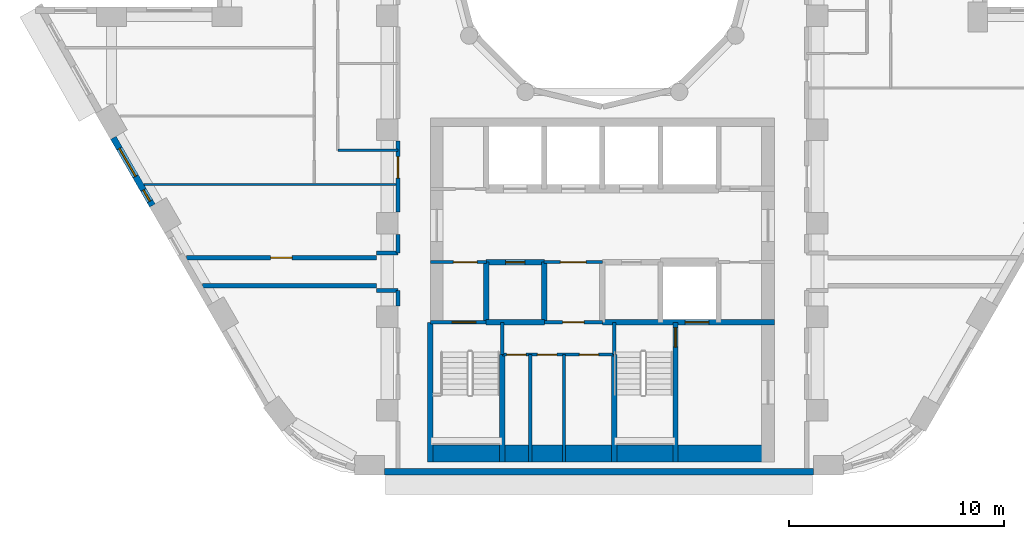
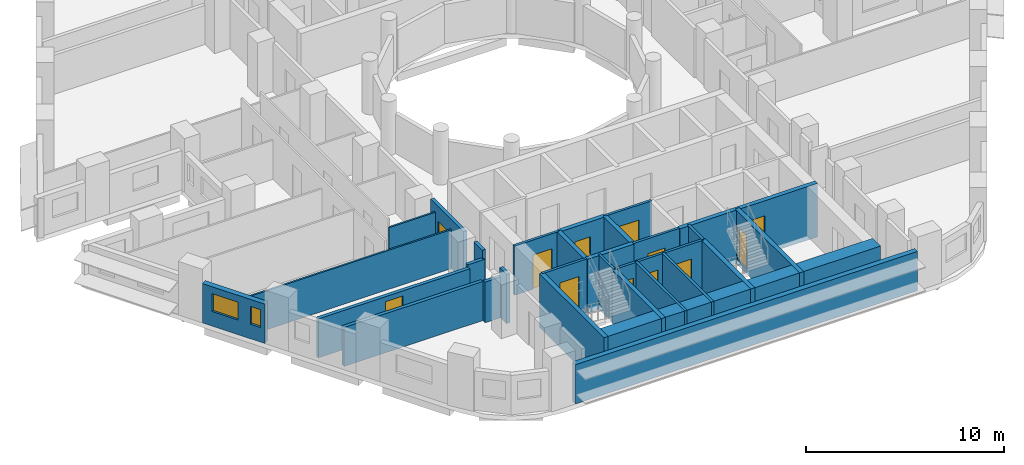
# One storey, part 3 of 12: 30 walls, 12 doors, 2 windows, 14 openings.
"""IFC4 building model written with IfcOpenShell, lengths in metres."""

from ifc_helpers import new_model, si_unit, direction, frame, frame_2d, origin, place, context, subcontext, project, spatial, rectangle, extrude, material, layer, layer_set, type_object, element, fill, save


model = new_model("IFC4")

# Units and contexts
model_context = context("Model", 3, precision=1e-05, world=origin(), true_north=direction((0.0, 1.0)))
body_context = subcontext(model_context, "Body", "Model", "MODEL_VIEW")
ifc_project = project(units=[si_unit("LENGTHUNIT", "METRE"), si_unit("AREAUNIT", "SQUARE_METRE"), si_unit("VOLUMEUNIT", "CUBIC_METRE"), si_unit("PLANEANGLEUNIT", "RADIAN"), si_unit("MASSUNIT", "GRAM", prefix="KILO")], contexts=[model_context])

# Site, building, storey
site_placement = place(None, origin())
site = spatial("IfcSite", under=ifc_project, at=site_placement, CompositionType="ELEMENT")
building_placement = place(site_placement, origin())
building = spatial("IfcBuilding", under=site, at=building_placement, Name="Nakaniwa Court", CompositionType="ELEMENT")
storey_placement = place(building_placement, frame((0.0, 0.0, 90.89990234375)))
storey = spatial("IfcBuildingStorey", under=building, at=storey_placement, Name="L23", CompositionType="ELEMENT", Elevation=90.89990234375)

# Walls
ifc_material_1 = material(Name="Acoustic double stud partition")
ifc_layer_1 = layer(ifc_material_1, 0.199951171875)
ifc_layer_set_1 = layer_set([ifc_layer_1], Name="Acoustic double stud partition")
wall_type_1 = type_object("IfcWallType", Name="Acoustic double stud partition 200", PredefinedType="PARTITIONING", material=ifc_layer_set_1)
wall_1_placement = place(storey_placement, frame((61.4091796875, 64.800048828125, 0.0), z_axis=(0.0, 0.0, 1.0), x_axis=(1.0, 0.0, 0.0)))
element("IfcWall", 1, at=wall_1_placement, inside=storey, type_object=wall_type_1, Name="Partition PW-087", PredefinedType="PARTITIONING", context=body_context, shape_type="SweptSolid", body=[
    extrude(rectangle(XDim=8.0908203125, YDim=0.199951171875, at=frame_2d((4.04541015625, 0.0))), origin(), (0.0, 0.0, 1.0), 2.405029296875),
])
for number, where, z_axis, x_axis, name in (
    (2, (69.5, 64.574951171875, 0.0), (0.0, 0.0, 1.0), (1.0, 0.0, 0.0), "Partition PW-089"),
    (3, (69.5, 66.324951171875, 0.0), (0.0, 0.0, 1.0), (1.0, 0.0, 0.0), "Partition PW-091"),
):
    element("IfcWall", number, at=place(storey_placement, frame(where, z_axis=z_axis, x_axis=x_axis)), inside=storey, type_object=wall_type_1, Name=name, PredefinedType="PARTITIONING", context=body_context, shape_type="SweptSolid", body=[
        extrude(rectangle(XDim=1.0, YDim=0.199951171875, at=frame_2d((0.5, 0.0))), origin(), (0.0, 0.0, 1.0), 2.505126953125),
    ])

# Wall, opening, door
wall_2_placement = place(storey_placement, frame((60.65869140625, 66.10009765625, 0.0), z_axis=(0.0, 0.0, 1.0), x_axis=(1.0, 0.0, 0.0)))
wall_2 = element("IfcWall", 4, at=wall_2_placement, inside=storey, type_object=wall_type_1, Name="Partition PW-093", PredefinedType="PARTITIONING", context=body_context, shape_type="SweptSolid", body=[
    extrude(rectangle(XDim=8.84130859375, YDim=0.199951171875, at=frame_2d((4.420654296875, 0.0))), origin(), (0.0, 0.0, 1.0), 2.405029296875),
])
opening_1_placement = place(wall_2_placement, frame((3.9208984375, 0.0, 0.0)))
opening_1 = element("IfcOpeningElement", 5, at=opening_1_placement, cuts=wall_2, Name="Opening D-02-08", PredefinedType="OPENING", context=body_context, shape_type="SweptSolid", body=[
    extrude(rectangle(XDim=1.0, YDim=2.10009765625, at=frame_2d((0.5, 1.050048828125))), frame((0.0, 0.10986328125, 0.0), z_axis=(0.0, -1.0, 0.0), x_axis=(1.0, 0.0, 0.0)), (0.0, 0.0, 1.0), 0.219970703125),
])
ifc_material_2 = material(Name="Solid core timber door set, black veneer", Category="wood")
door_type_1 = type_object("IfcDoorType", Name="Internal door 1000", OperationType="NOTDEFINED", PredefinedType="DOOR", material=ifc_material_2)
door_1_placement = place(opening_1_placement, origin())
door_1 = element("IfcDoor", 6, at=door_1_placement, inside=storey, type_object=door_type_1, Name="Door D-02-08 L23-050", OperationType="SINGLE_SWING_LEFT", OverallHeight=2.10009765625, OverallWidth=1.0, PredefinedType="DOOR", context=body_context, shape_type="SweptSolid", body=[
    extrude(rectangle(XDim=1.0, YDim=2.10009765625, at=frame_2d((0.5, 1.050048828125))), frame((0.0, 0.02490234375, 0.0), z_axis=(0.0, -1.0, 0.0), x_axis=(1.0, 0.0, 0.0)), (0.0, 0.0, 1.0), 0.050048828125),
])
fill(opening_1, door_1)

# Walls
wall_3_placement = place(storey_placement, frame((70.5, 63.866943359375, 0.0), z_axis=(0.0, 0.0, 1.0), x_axis=(0.0, 1.0, 0.0)))
element("IfcWall", 7, at=wall_3_placement, inside=storey, type_object=wall_type_1, Name="Partition PW-097", PredefinedType="PARTITIONING", context=body_context, shape_type="SweptSolid", body=[
    extrude(rectangle(XDim=0.7109375, YDim=0.199951171875, at=frame_2d((0.35546875, 0.0))), origin(), (0.0, 0.0, 1.0), 3.025146484375),
])
wall_4_placement = place(storey_placement, frame((70.5, 66.322021484375, 0.0), z_axis=(0.0, 0.0, 1.0), x_axis=(0.0, 1.0, 0.0)))
element("IfcWall", 8, at=wall_4_placement, inside=storey, type_object=wall_type_1, Name="Partition PW-098", PredefinedType="PARTITIONING", context=body_context, shape_type="SweptSolid", body=[
    extrude(rectangle(XDim=0.861083984375, YDim=0.199951171875, at=frame_2d((0.4306640625, 0.0))), origin(), (0.0, 0.0, 1.0), 3.025146484375),
])

# Wall, opening, door
wall_5_placement = place(storey_placement, frame((70.5, 68.217041015625, 0.0), z_axis=(0.0, 0.0, 1.0), x_axis=(0.0, 1.0, 0.0)))
wall_5 = element("IfcWall", 9, at=wall_5_placement, inside=storey, type_object=wall_type_1, Name="Partition PW-099", PredefinedType="PARTITIONING", context=body_context, shape_type="SweptSolid", body=[
    extrude(rectangle(XDim=3.31591796875, YDim=0.199951171875, at=frame_2d((1.657958984375, 0.0))), origin(), (0.0, 0.0, 1.0), 3.025146484375),
])
opening_2_placement = place(wall_5_placement, frame((1.5830078125, 0.0, 0.0)))
opening_2 = element("IfcOpeningElement", 10, at=opening_2_placement, cuts=wall_5, Name="Opening D-01-03", PredefinedType="OPENING", context=body_context, shape_type="SweptSolid", body=[
    extrude(rectangle(XDim=1.0, YDim=2.10009765625, at=frame_2d((0.5, 1.050048828125))), frame((0.0, 0.10986328125, 0.0), z_axis=(0.0, -1.0, 0.0), x_axis=(1.0, 0.0, 0.0)), (0.0, 0.0, 1.0), 0.219970703125),
])
door_type_2 = type_object("IfcDoorType", Name="Flat entrance door 1000", OperationType="NOTDEFINED", PredefinedType="DOOR", material=ifc_material_2)
door_2_placement = place(opening_2_placement, origin())
door_2 = element("IfcDoor", 11, at=door_2_placement, inside=storey, type_object=door_type_2, Name="Door D-01-03 L23-039", OperationType="SINGLE_SWING_RIGHT", OverallHeight=2.10009765625, OverallWidth=1.0, PredefinedType="DOOR", context=body_context, shape_type="SweptSolid", body=[
    extrude(rectangle(XDim=1.0, YDim=2.10009765625, at=frame_2d((0.5, 1.050048828125))), frame((0.0, 0.02490234375, 0.0), z_axis=(0.0, -1.0, 0.0), x_axis=(1.0, 0.0, 0.0)), (0.0, 0.0, 1.0), 0.050048828125),
])
fill(opening_2, door_2)

# Wall, openings, windows
ifc_material_3 = material(Name="Charcoal ceramic cladding")
ifc_layer_2 = layer(ifc_material_3, 0.02, Name="Ceramic cladding")
ifc_material_4 = material(Name="Ventilated air cavity")
ifc_layer_3 = layer(ifc_material_4, 0.04, ventilated=True, Name="Ventilated cavity")
ifc_material_5 = material(Name="Mineral wool insulation")
ifc_layer_4 = layer(ifc_material_5, 0.1, Name="Insulation")
ifc_material_6 = material(Name="Cement bonded sheathing board")
ifc_layer_5 = layer(ifc_material_6, 0.012, Name="Sheathing")
ifc_material_7 = material(Name="Cold-formed galvanised stud frame with mineral wool infill")
ifc_layer_6 = layer(ifc_material_7, 0.1, Name="Stud frame")
ifc_material_8 = material(Name="Fire-rated gypsum plasterboard lining")
ifc_layer_7 = layer(ifc_material_8, 0.028, Name="Lining")
ifc_layer_set_2 = layer_set([ifc_layer_2, ifc_layer_3, ifc_layer_4, ifc_layer_5, ifc_layer_6, ifc_layer_7], Name="Charcoal ceramic faced external wall system")
wall_type_2 = type_object("IfcWallType", Name="Black ceramic faced external wall 300", PredefinedType="SOLIDWALL", material=ifc_layer_set_2)
wall_6_placement = place(storey_placement, frame((57.265380859375, 71.677490234375, 0.0), z_axis=(0.0, 0.0, 1.0), x_axis=(0.500009139881, -0.866020126807, 0.0)))
wall_6 = element("IfcWall", 12, at=wall_6_placement, inside=storey, type_object=wall_type_2, Name="L23 external wall 21", PredefinedType="SOLIDWALL", context=body_context, shape_type="SweptSolid", body=[
    extrude(rectangle(XDim=3.63671875, YDim=0.300048828125, at=frame_2d((1.818359375, 0.0))), origin(), (0.0, 0.0, 1.0), 2.425048828125),
])
opening_3_placement = place(wall_6_placement, frame((0.568359375, 0.0, 0.89990234375)))
opening_3 = element("IfcOpeningElement", 13, at=opening_3_placement, cuts=wall_6, Name="Opening W5.25", PredefinedType="OPENING", context=body_context, shape_type="SweptSolid", body=[
    extrude(rectangle(XDim=1.5, YDim=1.10009765625, at=frame_2d((0.75, 0.550048828125))), frame((0.0, 0.159912109375, 0.0), z_axis=(0.0, -1.0, 0.0), x_axis=(1.0, 0.0, 0.0)), (0.0, 0.0, 1.0), 0.320068359375),
])
opening_4_placement = place(wall_6_placement, frame((2.7998046875, 0.0, 0.89990234375)))
opening_4 = element("IfcOpeningElement", 14, at=opening_4_placement, cuts=wall_6, Name="Opening W8.26", PredefinedType="OPENING", context=body_context, shape_type="SweptSolid", body=[
    extrude(rectangle(XDim=0.60009765625, YDim=1.10009765625, at=frame_2d((0.300048828125, 0.550048828125))), frame((0.0, 0.159912109375, 0.0), z_axis=(0.0, -1.0, 0.0), x_axis=(1.0, 0.0, 0.0)), (0.0, 0.0, 1.0), 0.320068359375),
])
ifc_material_9 = material(Name="Black anodised aluminium frame with dark low-E laminated double glazing", Category="aluminium")
window_type_1 = type_object("IfcWindowType", Name="Dark glass window 1500x1100 sill 900", PartitioningType="SINGLE_PANEL", PredefinedType="WINDOW", material=ifc_material_9)
window_1_placement = place(opening_3_placement, origin())
window_1 = element("IfcWindow", 15, at=window_1_placement, inside=storey, type_object=window_type_1, Name="L23 bedroom window 21-0", OverallHeight=1.10009765625, OverallWidth=1.5, PartitioningType="SINGLE_PANEL", PredefinedType="WINDOW", context=body_context, shape_type="SweptSolid", body=[
    extrude(rectangle(XDim=1.5, YDim=1.10009765625, at=frame_2d((0.75, 0.550048828125))), frame((0.0, 0.030029296875, 0.0), z_axis=(0.0, -1.0, 0.0), x_axis=(1.0, 0.0, 0.0)), (0.0, 0.0, 1.0), 0.06005859375),
])
fill(opening_3, window_1)
window_type_2 = type_object("IfcWindowType", Name="Dark glass window 600x1100 sill 900", PartitioningType="SINGLE_PANEL", PredefinedType="WINDOW", material=ifc_material_9)
window_2_placement = place(opening_4_placement, origin())
window_2 = element("IfcWindow", 16, at=window_2_placement, inside=storey, type_object=window_type_2, Name="L23 habitable room window 21-1", OverallHeight=1.10009765625, OverallWidth=0.60009765625, PartitioningType="SINGLE_PANEL", PredefinedType="WINDOW", context=body_context, shape_type="SweptSolid", body=[
    extrude(rectangle(XDim=0.60009765625, YDim=1.10009765625, at=frame_2d((0.300048828125, 0.550048828125))), frame((0.0, 0.030029296875, 0.0), z_axis=(0.0, -1.0, 0.0), x_axis=(1.0, 0.0, 0.0)), (0.0, 0.0, 1.0), 0.06005859375),
])
fill(opening_4, window_2)

# Wall
wall_7_placement = place(storey_placement, frame((69.871337890625, 56.14990234375, 0.0), z_axis=(0.0, 0.0, 1.0), x_axis=(1.0, 0.0, 0.0)))
element("IfcWall", 17, at=wall_7_placement, inside=storey, type_object=wall_type_2, Name="L23 external wall 26", PredefinedType="SOLIDWALL", context=body_context, shape_type="SweptSolid", body=[
    extrude(rectangle(XDim=19.939697265625, YDim=0.300048828125, at=frame_2d((9.9697265625, 0.0))), origin(), (0.0, 0.0, 1.0), 2.425048828125),
])

# Wall, opening, door
ifc_material_10 = material(Name="Blockwork partition", Category="masonry")
ifc_layer_8 = layer(ifc_material_10, 0.14990234375)
ifc_layer_set_3 = layer_set([ifc_layer_8], Name="Blockwork partition")
wall_type_3 = type_object("IfcWallType", Name="Blockwork partition 150", PredefinedType="PARTITIONING", material=ifc_layer_set_3)
wall_8_placement = place(storey_placement, frame((74.60302734375, 65.89990234375, 0.0), z_axis=(0.0, 0.0, 1.0), x_axis=(-1.0, 0.0, 0.0)))
wall_8 = element("IfcWall", 18, at=wall_8_placement, inside=storey, type_object=wall_type_3, Name="Partition PW-050", PredefinedType="PARTITIONING", context=body_context, shape_type="SweptSolid", body=[
    extrude(rectangle(XDim=2.60302734375, YDim=0.14990234375, at=frame_2d((1.301513671875, 0.0))), origin(), (0.0, 0.0, 1.0), 3.025146484375),
])
opening_5_placement = place(wall_8_placement, frame((0.427978515625, 0.0, 0.0)))
opening_5 = element("IfcOpeningElement", 19, at=opening_5_placement, cuts=wall_8, Name="Opening D-08-02", PredefinedType="OPENING", context=body_context, shape_type="SweptSolid", body=[
    extrude(rectangle(XDim=1.10009765625, YDim=2.10009765625, at=frame_2d((0.550048828125, 1.050048828125))), frame((0.0, 0.0849609375, 0.0), z_axis=(0.0, -1.0, 0.0), x_axis=(1.0, 0.0, 0.0)), (0.0, 0.0, 1.0), 0.169921875),
])
ifc_material_11 = material(Name="Fire rated steel door set", Category="steel")
door_type_3 = type_object("IfcDoorType", Name="Stair lobby door 1100", OperationType="NOTDEFINED", PredefinedType="DOOR", material=ifc_material_11)
door_3_placement = place(opening_5_placement, origin())
door_3 = element("IfcDoor", 20, at=door_3_placement, inside=storey, type_object=door_type_3, Name="Door D-08-02 L23-016", OperationType="SINGLE_SWING_LEFT", OverallHeight=2.10009765625, OverallWidth=1.10009765625, PredefinedType="DOOR", context=body_context, shape_type="SweptSolid", body=[
    extrude(rectangle(XDim=1.10009765625, YDim=2.10009765625, at=frame_2d((0.550048828125, 1.050048828125))), frame((0.0, 0.02490234375, 0.0), z_axis=(0.0, -1.0, 0.0), x_axis=(1.0, 0.0, 0.0)), (0.0, 0.0, 1.0), 0.050048828125),
])
fill(opening_5, door_3)

wall_9_placement = place(storey_placement, frame((80.0029296875, 65.89990234375, 0.0), z_axis=(0.0, 0.0, 1.0), x_axis=(-1.0, 0.0, 0.0)))
wall_9 = element("IfcWall", 21, at=wall_9_placement, inside=storey, type_object=wall_type_3, Name="Partition PW-051", PredefinedType="PARTITIONING", context=body_context, shape_type="SweptSolid", body=[
    extrude(rectangle(XDim=2.705810546875, YDim=0.14990234375, at=frame_2d((1.35302734375, 0.0))), origin(), (0.0, 0.0, 1.0), 3.025146484375),
])
opening_6_placement = place(wall_9_placement, frame((0.7529296875, 0.0, 0.0)))
opening_6 = element("IfcOpeningElement", 22, at=opening_6_placement, cuts=wall_9, Name="Opening D-06-02", PredefinedType="OPENING", context=body_context, shape_type="SweptSolid", body=[
    extrude(rectangle(XDim=1.199951171875, YDim=2.10009765625, at=frame_2d((0.60009765625, 1.050048828125))), frame((0.0, 0.0849609375, 0.0), z_axis=(0.0, -1.0, 0.0), x_axis=(1.0, 0.0, 0.0)), (0.0, 0.0, 1.0), 0.169921875),
])
ifc_material_12 = material(Name="Fire rated steel double door set", Category="steel")
door_type_4 = type_object("IfcDoorType", Name="Service passage double door 1200", OperationType="NOTDEFINED", PredefinedType="DOOR", material=ifc_material_12)
door_4_placement = place(opening_6_placement, origin())
door_4 = element("IfcDoor", 23, at=door_4_placement, inside=storey, type_object=door_type_4, Name="Door D-06-02 L23-018", OperationType="DOUBLE_DOOR_SINGLE_SWING", OverallHeight=2.10009765625, OverallWidth=1.199951171875, PredefinedType="DOOR", context=body_context, shape_type="SweptSolid", body=[
    extrude(rectangle(XDim=1.199951171875, YDim=2.10009765625, at=frame_2d((0.60009765625, 1.050048828125))), frame((0.0, 0.02490234375, 0.0), z_axis=(0.0, -1.0, 0.0), x_axis=(1.0, 0.0, 0.0)), (0.0, 0.0, 1.0), 0.050048828125),
])
fill(opening_6, door_4)

wall_10_placement = place(storey_placement, frame((80.0, 63.10009765625, 0.0), z_axis=(0.0, 0.0, 1.0), x_axis=(-1.0, 0.0, 0.0)))
wall_10 = element("IfcWall", 24, at=wall_10_placement, inside=storey, type_object=wall_type_3, Name="Partition PW-059", PredefinedType="PARTITIONING", context=body_context, shape_type="SweptSolid", body=[
    extrude(rectangle(XDim=2.699951171875, YDim=0.14990234375, at=frame_2d((1.35009765625, 0.0))), origin(), (0.0, 0.0, 1.0), 3.025146484375),
])
opening_7_placement = place(wall_10_placement, frame((0.85009765625, 0.0, 0.0)))
opening_7 = element("IfcOpeningElement", 25, at=opening_7_placement, cuts=wall_10, Name="Opening D-23-02", PredefinedType="OPENING", context=body_context, shape_type="SweptSolid", body=[
    extrude(rectangle(XDim=1.0, YDim=2.10009765625, at=frame_2d((0.5, 1.050048828125))), frame((0.0, 0.0849609375, 0.0), z_axis=(0.0, -1.0, 0.0), x_axis=(1.0, 0.0, 0.0)), (0.0, 0.0, 1.0), 0.169921875),
])
door_type_5 = type_object("IfcDoorType", Name="Service room door 1000", OperationType="NOTDEFINED", PredefinedType="DOOR", material=ifc_material_11)
door_5_placement = place(opening_7_placement, origin())
door_5 = element("IfcDoor", 26, at=door_5_placement, inside=storey, type_object=door_type_5, Name="Door D-23-02 L23-021", OperationType="SINGLE_SWING_RIGHT", OverallHeight=2.10009765625, OverallWidth=1.0, PredefinedType="DOOR", context=body_context, shape_type="SweptSolid", body=[
    extrude(rectangle(XDim=1.0, YDim=2.10009765625, at=frame_2d((0.5, 1.050048828125))), frame((0.0, 0.02490234375, 0.0), z_axis=(0.0, -1.0, 0.0), x_axis=(1.0, 0.0, 0.0)), (0.0, 0.0, 1.0), 0.050048828125),
])
fill(opening_7, door_5)

# Wall, openings, doors
wall_11_placement = place(storey_placement, frame((80.550048828125, 61.60009765625, 0.0), z_axis=(0.0, 0.0, 1.0), x_axis=(-1.0, 0.0, 0.0)))
wall_11 = element("IfcWall", 27, at=wall_11_placement, inside=storey, type_object=wall_type_3, Name="Partition PW-066", PredefinedType="PARTITIONING", context=body_context, shape_type="SweptSolid", body=[
    extrude(rectangle(XDim=5.199951171875, YDim=0.14990234375, at=frame_2d((2.60009765625, 0.0))), origin(), (0.0, 0.0, 1.0), 3.025146484375),
])
opening_8_placement = place(wall_11_placement, frame((4.10009765625, 0.0, 0.0)))
opening_8 = element("IfcOpeningElement", 28, at=opening_8_placement, cuts=wall_11, Name="Opening D-05-14", PredefinedType="OPENING", context=body_context, shape_type="SweptSolid", body=[
    extrude(rectangle(XDim=0.89990234375, YDim=2.10009765625, at=frame_2d((0.449951171875, 1.050048828125))), frame((0.0, 0.0849609375, 0.0), z_axis=(0.0, -1.0, 0.0), x_axis=(1.0, 0.0, 0.0)), (0.0, 0.0, 1.0), 0.169921875),
])
opening_9_placement = place(wall_11_placement, frame((2.669921875, 0.0, 0.0)))
opening_9 = element("IfcOpeningElement", 29, at=opening_9_placement, cuts=wall_11, Name="Opening D-05-15", PredefinedType="OPENING", context=body_context, shape_type="SweptSolid", body=[
    extrude(rectangle(XDim=0.89990234375, YDim=2.10009765625, at=frame_2d((0.449951171875, 1.050048828125))), frame((0.0, 0.0849609375, 0.0), z_axis=(0.0, -1.0, 0.0), x_axis=(1.0, 0.0, 0.0)), (0.0, 0.0, 1.0), 0.169921875),
])
opening_10_placement = place(wall_11_placement, frame((0.719970703125, 0.0, 0.0)))
opening_10 = element("IfcOpeningElement", 30, at=opening_10_placement, cuts=wall_11, Name="Opening D-05-16", PredefinedType="OPENING", context=body_context, shape_type="SweptSolid", body=[
    extrude(rectangle(XDim=0.89990234375, YDim=2.10009765625, at=frame_2d((0.449951171875, 1.050048828125))), frame((0.0, 0.0849609375, 0.0), z_axis=(0.0, -1.0, 0.0), x_axis=(1.0, 0.0, 0.0)), (0.0, 0.0, 1.0), 0.169921875),
])
door_type_6 = type_object("IfcDoorType", Name="Service room door 900", OperationType="NOTDEFINED", PredefinedType="DOOR", material=ifc_material_11)
door_6_placement = place(opening_8_placement, origin())
door_6 = element("IfcDoor", 31, at=door_6_placement, inside=storey, type_object=door_type_6, Name="Door D-05-14 L23-022", OperationType="SINGLE_SWING_LEFT", OverallHeight=2.10009765625, OverallWidth=0.89990234375, PredefinedType="DOOR", context=body_context, shape_type="SweptSolid", body=[
    extrude(rectangle(XDim=0.89990234375, YDim=2.10009765625, at=frame_2d((0.449951171875, 1.050048828125))), frame((0.0, 0.02490234375, 0.0), z_axis=(0.0, -1.0, 0.0), x_axis=(1.0, 0.0, 0.0)), (0.0, 0.0, 1.0), 0.050048828125),
])
fill(opening_8, door_6)
door_7_placement = place(opening_9_placement, origin())
door_7 = element("IfcDoor", 32, at=door_7_placement, inside=storey, type_object=door_type_6, Name="Door D-05-15 L23-023", OperationType="SINGLE_SWING_RIGHT", OverallHeight=2.10009765625, OverallWidth=0.89990234375, PredefinedType="DOOR", context=body_context, shape_type="SweptSolid", body=[
    extrude(rectangle(XDim=0.89990234375, YDim=2.10009765625, at=frame_2d((0.449951171875, 1.050048828125))), frame((0.0, 0.02490234375, 0.0), z_axis=(0.0, -1.0, 0.0), x_axis=(1.0, 0.0, 0.0)), (0.0, 0.0, 1.0), 0.050048828125),
])
fill(opening_9, door_7)
door_8_placement = place(opening_10_placement, origin())
door_8 = element("IfcDoor", 33, at=door_8_placement, inside=storey, type_object=door_type_6, Name="Door D-05-16 L23-024", OperationType="SINGLE_SWING_LEFT", OverallHeight=2.10009765625, OverallWidth=0.89990234375, PredefinedType="DOOR", context=body_context, shape_type="SweptSolid", body=[
    extrude(rectangle(XDim=0.89990234375, YDim=2.10009765625, at=frame_2d((0.449951171875, 1.050048828125))), frame((0.0, 0.02490234375, 0.0), z_axis=(0.0, -1.0, 0.0), x_axis=(1.0, 0.0, 0.0)), (0.0, 0.0, 1.0), 0.050048828125),
])
fill(opening_10, door_8)

# Walls
for number, where, z_axis, x_axis, name in (
    (34, (76.64990234375, 56.60009765625, 0.0), (0.0, 0.0, 1.0), (0.0, 1.0, 0.0), "Partition PW-067"),
    (35, (78.2099609375, 56.60009765625, 0.0), (0.0, 0.0, 1.0), (0.0, 1.0, 0.0), "Partition PW-068"),
):
    element("IfcWall", number, at=place(storey_placement, frame(where, z_axis=z_axis, x_axis=x_axis)), inside=storey, type_object=wall_type_3, Name=name, PredefinedType="PARTITIONING", context=body_context, shape_type="SweptSolid", body=[
        extrude(rectangle(XDim=5.0, YDim=0.14990234375, at=frame_2d((2.5, 0.0))), origin(), (0.0, 0.0, 1.0), 3.025146484375),
    ])

# Wall, opening, door
ifc_material_13 = material(Name="Concrete C80/100", Category="concrete")
ifc_layer_9 = layer(ifc_material_13, 0.14990234375)
ifc_layer_set_4 = layer_set([ifc_layer_9], Name="Concrete C80/100")
wall_type_4 = type_object("IfcWallType", Name="Concrete core wall 150 C80", PredefinedType="SHEAR", material=ifc_layer_set_4)
wall_12_placement = place(storey_placement, frame((72.0, 63.10009765625, -0.27490234375), z_axis=(0.0, 0.0, 1.0), x_axis=(1.0, 0.0, 0.0)))
wall_12 = element("IfcWall", 36, at=wall_12_placement, inside=storey, type_object=wall_type_4, Name="Core wall SW-56", PredefinedType="SHEAR", context=body_context, shape_type="SweptSolid", body=[
    extrude(rectangle(XDim=2.60009765625, YDim=0.14990234375, at=frame_2d((1.300048828125, 0.0))), origin(), (0.0, 0.0, 1.0), 3.300048828125),
])
opening_11_placement = place(wall_12_placement, frame((1.02001953125, 0.0, 0.27490234375)))
opening_11 = element("IfcOpeningElement", 37, at=opening_11_placement, cuts=wall_12, Name="Opening D-09-02", PredefinedType="OPENING", context=body_context, shape_type="SweptSolid", body=[
    extrude(rectangle(XDim=1.10009765625, YDim=2.10009765625, at=frame_2d((0.550048828125, 1.050048828125))), frame((0.0, 0.0849609375, 0.0), z_axis=(0.0, -1.0, 0.0), x_axis=(1.0, 0.0, 0.0)), (0.0, 0.0, 1.0), 0.169921875),
])
door_type_7 = type_object("IfcDoorType", Name="Stair door 1100", OperationType="NOTDEFINED", PredefinedType="DOOR", material=ifc_material_11)
door_9_placement = place(opening_11_placement, origin())
door_9 = element("IfcDoor", 38, at=door_9_placement, inside=storey, type_object=door_type_7, Name="Door D-09-02 L23-025", OperationType="SINGLE_SWING_LEFT", OverallHeight=2.10009765625, OverallWidth=1.10009765625, PredefinedType="DOOR", context=body_context, shape_type="SweptSolid", body=[
    extrude(rectangle(XDim=1.10009765625, YDim=2.10009765625, at=frame_2d((0.550048828125, 1.050048828125))), frame((0.0, 0.02490234375, 0.0), z_axis=(0.0, -1.0, 0.0), x_axis=(1.0, 0.0, 0.0)), (0.0, 0.0, 1.0), 0.050048828125),
])
fill(opening_11, door_9)

# Walls
for number, where, z_axis, x_axis, name in (
    (39, (75.35009765625, 61.596923828125, -0.27490234375), (0.0, 0.0, 1.0), (0.0, 1.0, 0.0), "Core wall SW-60"),
    (40, (80.550048828125, 61.596923828125, -0.27490234375), (0.0, 0.0, 1.0), (0.0, 1.0, 0.0), "Core wall SW-64"),
):
    element("IfcWall", number, at=place(storey_placement, frame(where, z_axis=z_axis, x_axis=x_axis)), inside=storey, type_object=wall_type_4, Name=name, PredefinedType="SHEAR", context=body_context, shape_type="SweptSolid", body=[
        extrude(rectangle(XDim=1.503173828125, YDim=0.14990234375, at=frame_2d((0.75146484375, 0.0))), origin(), (0.0, 0.0, 1.0), 3.300048828125),
    ])
ifc_layer_10 = layer(ifc_material_13, 0.25)
ifc_layer_set_5 = layer_set([ifc_layer_10], Name="Concrete C80/100")
wall_type_5 = type_object("IfcWallType", Name="Concrete core wall 250 C80", PredefinedType="SHEAR", material=ifc_layer_set_5)
wall_13_placement = place(storey_placement, frame((72.0, 56.60009765625, -0.27490234375), z_axis=(0.0, 0.0, 1.0), x_axis=(0.0, 1.0, 0.0)))
element("IfcWall", 41, at=wall_13_placement, inside=storey, type_object=wall_type_5, Name="Core wall SW-62", PredefinedType="SHEAR", context=body_context, shape_type="SweptSolid", body=[
    extrude(rectangle(XDim=6.5, YDim=0.25, at=frame_2d((3.25, 0.0))), origin(), (0.0, 0.0, 1.0), 3.300048828125),
])
ifc_layer_11 = layer(ifc_material_13, 0.800048828125)
ifc_layer_set_6 = layer_set([ifc_layer_11], Name="Concrete C80/100")
wall_type_6 = type_object("IfcWallType", Name="Concrete core wall 800 C80", PredefinedType="SHEAR", material=ifc_layer_set_6)
wall_14_placement = place(storey_placement, frame((72.00390625, 57.0, -0.27490234375), z_axis=(0.0, 0.0, 1.0), x_axis=(1.0, 0.0, 0.0)))
element("IfcWall", 42, at=wall_14_placement, inside=storey, type_object=wall_type_6, Name="Core wall SW-129", PredefinedType="SHEAR", context=body_context, shape_type="SweptSolid", body=[
    extrude(rectangle(XDim=15.9921875, YDim=0.800048828125, at=frame_2d((7.99609375, 0.0))), origin(), (0.0, 0.0, 1.0), 3.300048828125),
])
ifc_layer_12 = layer(ifc_material_13, 0.25)
ifc_layer_set_7 = layer_set([ifc_layer_12], Name="Concrete C80/100")
wall_type_7 = type_object("IfcWallType", Name="Concrete shaft wall 250 C80", PredefinedType="SHEAR", material=ifc_layer_set_7)
for number, where, z_axis, x_axis, name in (
    (43, (74.60009765625, 63.10009765625, -0.27490234375), (0.0, 0.0, 1.0), (0.0, 1.0, 0.0), "Core wall SW-35"),
    (44, (77.300048828125, 63.10009765625, -0.27490234375), (0.0, 0.0, 1.0), (0.0, 1.0, 0.0), "Core wall SW-39"),
):
    element("IfcWall", number, at=place(storey_placement, frame(where, z_axis=z_axis, x_axis=x_axis)), inside=storey, type_object=wall_type_7, Name=name, PredefinedType="SHEAR", context=body_context, shape_type="SweptSolid", body=[
        extrude(rectangle(XDim=2.7998046875, YDim=0.25, at=frame_2d((1.39990234375, 0.0))), origin(), (0.0, 0.0, 1.0), 3.300048828125),
    ])

# Wall, opening, door
wall_15_placement = place(storey_placement, frame((77.302978515625, 65.89990234375, -0.27490234375), z_axis=(0.0, 0.0, 1.0), x_axis=(-1.0, 0.0, 0.0)))
wall_15 = element("IfcWall", 45, at=wall_15_placement, inside=storey, type_object=wall_type_7, Name="Core wall SW-53", PredefinedType="SHEAR", context=body_context, shape_type="SweptSolid", body=[
    extrude(rectangle(XDim=2.7060546875, YDim=0.25, at=frame_2d((1.35302734375, 0.0))), origin(), (0.0, 0.0, 1.0), 3.300048828125),
])
opening_12_placement = place(wall_15_placement, frame((0.903076171875, 0.0, 0.27490234375)))
opening_12 = element("IfcOpeningElement", 46, at=opening_12_placement, cuts=wall_15, Name="Opening D-05-11", PredefinedType="OPENING", context=body_context, shape_type="SweptSolid", body=[
    extrude(rectangle(XDim=0.89990234375, YDim=2.10009765625, at=frame_2d((0.449951171875, 1.050048828125))), frame((0.0, 0.135009765625, 0.0), z_axis=(0.0, -1.0, 0.0), x_axis=(1.0, 0.0, 0.0)), (0.0, 0.0, 1.0), 0.27001953125),
])
door_10_placement = place(opening_12_placement, origin())
door_10 = element("IfcDoor", 47, at=door_10_placement, inside=storey, type_object=door_type_6, Name="Door D-05-11 L23-017", OperationType="SINGLE_SWING_RIGHT", OverallHeight=2.10009765625, OverallWidth=0.89990234375, PredefinedType="DOOR", context=body_context, shape_type="SweptSolid", body=[
    extrude(rectangle(XDim=0.89990234375, YDim=2.10009765625, at=frame_2d((0.449951171875, 1.050048828125))), frame((0.0, 0.02490234375, 0.0), z_axis=(0.0, -1.0, 0.0), x_axis=(1.0, 0.0, 0.0)), (0.0, 0.0, 1.0), 0.050048828125),
])
fill(opening_12, door_10)

# Wall
wall_16_placement = place(storey_placement, frame((74.60009765625, 63.10009765625, -0.27490234375), z_axis=(0.0, 0.0, 1.0), x_axis=(1.0, 0.0, 0.0)))
element("IfcWall", 48, at=wall_16_placement, inside=storey, type_object=wall_type_7, Name="Core wall SW-57", PredefinedType="SHEAR", context=body_context, shape_type="SweptSolid", body=[
    extrude(rectangle(XDim=2.699951171875, YDim=0.25, at=frame_2d((1.35009765625, 0.0))), origin(), (0.0, 0.0, 1.0), 3.300048828125),
])

# Wall, opening, door
wall_17_placement = place(storey_placement, frame((80.0, 63.10009765625, -0.27490234375), z_axis=(0.0, 0.0, 1.0), x_axis=(1.0, 0.0, 0.0)))
wall_17 = element("IfcWall", 49, at=wall_17_placement, inside=storey, type_object=wall_type_7, Name="Core wall SW-58", PredefinedType="SHEAR", context=body_context, shape_type="SweptSolid", body=[
    extrude(rectangle(XDim=8.0, YDim=0.25, at=frame_2d((4.0, 0.0))), origin(), (0.0, 0.0, 1.0), 3.300048828125),
])
opening_13_placement = place(wall_17_placement, frame((3.84912109375, 0.0, 0.27490234375)))
opening_13 = element("IfcOpeningElement", 50, at=opening_13_placement, cuts=wall_17, Name="Opening LD08", PredefinedType="OPENING", context=body_context, shape_type="SweptSolid", body=[
    extrude(rectangle(XDim=1.10009765625, YDim=2.10009765625, at=frame_2d((0.550048828125, 1.050048828125))), frame((0.0, 0.135009765625, 0.0), z_axis=(0.0, -1.0, 0.0), x_axis=(1.0, 0.0, 0.0)), (0.0, 0.0, 1.0), 0.27001953125),
])
ifc_material_14 = material(Name="Stainless steel sliding lift landing door", Category="steel")
door_type_8 = type_object("IfcDoorType", Name="Lift landing door 1100", OperationType="NOTDEFINED", PredefinedType="DOOR", material=ifc_material_14)
door_11_placement = place(opening_13_placement, origin())
door_11 = element("IfcDoor", 51, at=door_11_placement, inside=storey, type_object=door_type_8, Name="Lift landing door LD08 L23-008", OperationType="SLIDING_TO_LEFT", OverallHeight=2.10009765625, OverallWidth=1.10009765625, PredefinedType="DOOR", context=body_context, shape_type="SweptSolid", body=[
    extrude(rectangle(XDim=1.10009765625, YDim=2.10009765625, at=frame_2d((0.550048828125, 1.050048828125))), frame((0.0, 0.02490234375, 0.0), z_axis=(0.0, -1.0, 0.0), x_axis=(1.0, 0.0, 0.0)), (0.0, 0.0, 1.0), 0.050048828125),
])
fill(opening_13, door_11)

# Wall
wall_18_placement = place(storey_placement, frame((75.35009765625, 56.60009765625, -0.27490234375), z_axis=(0.0, 0.0, 1.0), x_axis=(0.0, 1.0, 0.0)))
element("IfcWall", 52, at=wall_18_placement, inside=storey, type_object=wall_type_7, Name="Core wall SW-61", PredefinedType="SHEAR", context=body_context, shape_type="SweptSolid", body=[
    extrude(rectangle(XDim=5.0029296875, YDim=0.25, at=frame_2d((2.50146484375, 0.0))), origin(), (0.0, 0.0, 1.0), 3.300048828125),
])

# Wall, opening, door
wall_19_placement = place(storey_placement, frame((83.39990234375, 63.10009765625, -0.27490234375), z_axis=(0.0, 0.0, 1.0), x_axis=(0.0, -1.0, 0.0)))
wall_19 = element("IfcWall", 53, at=wall_19_placement, inside=storey, type_object=wall_type_7, Name="Core wall SW-63", PredefinedType="SHEAR", context=body_context, shape_type="SweptSolid", body=[
    extrude(rectangle(XDim=6.5, YDim=0.25, at=frame_2d((3.25, 0.0))), origin(), (0.0, 0.0, 1.0), 3.300048828125),
])
opening_14_placement = place(wall_19_placement, frame((0.25, 0.0, 0.27490234375)))
opening_14 = element("IfcOpeningElement", 54, at=opening_14_placement, cuts=wall_19, Name="Opening D-11-02", PredefinedType="OPENING", context=body_context, shape_type="SweptSolid", body=[
    extrude(rectangle(XDim=0.89990234375, YDim=2.10009765625, at=frame_2d((0.449951171875, 1.050048828125))), frame((0.0, 0.135009765625, 0.0), z_axis=(0.0, -1.0, 0.0), x_axis=(1.0, 0.0, 0.0)), (0.0, 0.0, 1.0), 0.27001953125),
])
door_type_9 = type_object("IfcDoorType", Name="Stair door 900", OperationType="NOTDEFINED", PredefinedType="DOOR", material=ifc_material_11)
door_12_placement = place(opening_14_placement, origin())
door_12 = element("IfcDoor", 55, at=door_12_placement, inside=storey, type_object=door_type_9, Name="Door D-11-02 L23-026", OperationType="SINGLE_SWING_RIGHT", OverallHeight=2.10009765625, OverallWidth=0.89990234375, PredefinedType="DOOR", context=body_context, shape_type="SweptSolid", body=[
    extrude(rectangle(XDim=0.89990234375, YDim=2.10009765625, at=frame_2d((0.449951171875, 1.050048828125))), frame((0.0, 0.02490234375, 0.0), z_axis=(0.0, -1.0, 0.0), x_axis=(1.0, 0.0, 0.0)), (0.0, 0.0, 1.0), 0.050048828125),
])
fill(opening_14, door_12)

# Walls
wall_20_placement = place(storey_placement, frame((80.550048828125, 56.60009765625, -0.27490234375), z_axis=(0.0, 0.0, 1.0), x_axis=(0.0, 1.0, 0.0)))
element("IfcWall", 56, at=wall_20_placement, inside=storey, type_object=wall_type_7, Name="Core wall SW-65", PredefinedType="SHEAR", context=body_context, shape_type="SweptSolid", body=[
    extrude(rectangle(XDim=5.0029296875, YDim=0.25, at=frame_2d((2.50146484375, 0.0))), origin(), (0.0, 0.0, 1.0), 3.300048828125),
])
ifc_material_15 = material(Name="Single stud plasterboard partition")
ifc_layer_13 = layer(ifc_material_15, 0.10009765625)
ifc_layer_set_8 = layer_set([ifc_layer_13], Name="Single stud plasterboard partition")
wall_type_8 = type_object("IfcWallType", Name="Single stud plasterboard partition 100", PredefinedType="PARTITIONING", material=ifc_layer_set_8)
wall_21_placement = place(storey_placement, frame((67.699951171875, 71.10009765625, 0.0), z_axis=(0.0, 0.0, 1.0), x_axis=(1.0, 0.0, 0.0)))
element("IfcWall", 57, at=wall_21_placement, inside=storey, type_object=wall_type_8, Name="Partition PW-117", PredefinedType="PARTITIONING", context=body_context, shape_type="SweptSolid", body=[
    extrude(rectangle(XDim=2.800048828125, YDim=0.10009765625, at=frame_2d((1.39990234375, 0.0))), origin(), (0.0, 0.0, 1.0), 2.505126953125),
])
wall_22_placement = place(storey_placement, frame((58.69580078125, 69.5, 0.0), z_axis=(0.0, 0.0, 1.0), x_axis=(1.0, 0.0, 0.0)))
element("IfcWall", 58, at=wall_22_placement, inside=storey, type_object=wall_type_8, Name="Partition PW-122", PredefinedType="PARTITIONING", context=body_context, shape_type="SweptSolid", body=[
    extrude(rectangle(XDim=11.80419921875, YDim=0.10009765625, at=frame_2d((5.902099609375, 0.0))), origin(), (0.0, 0.0, 1.0), 2.405029296875),
])

save(model, "model.ifc")
